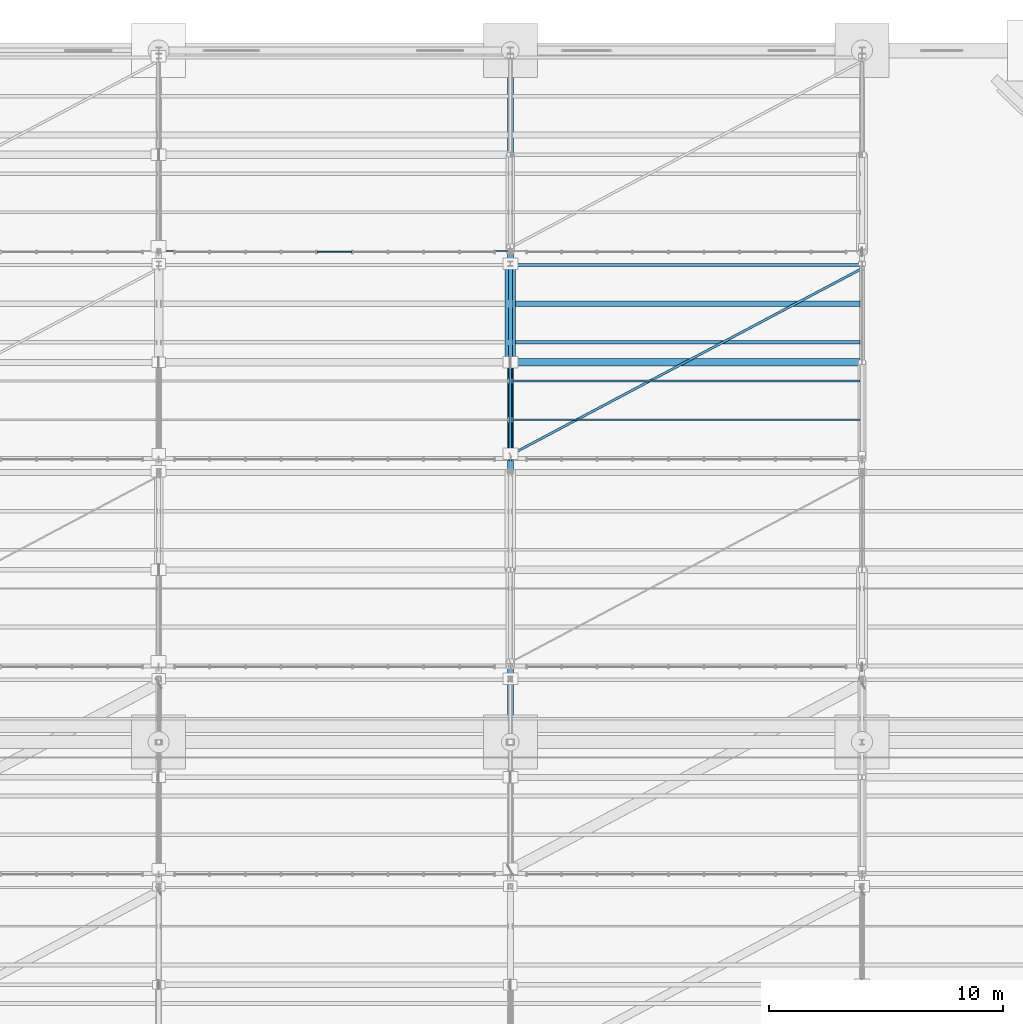
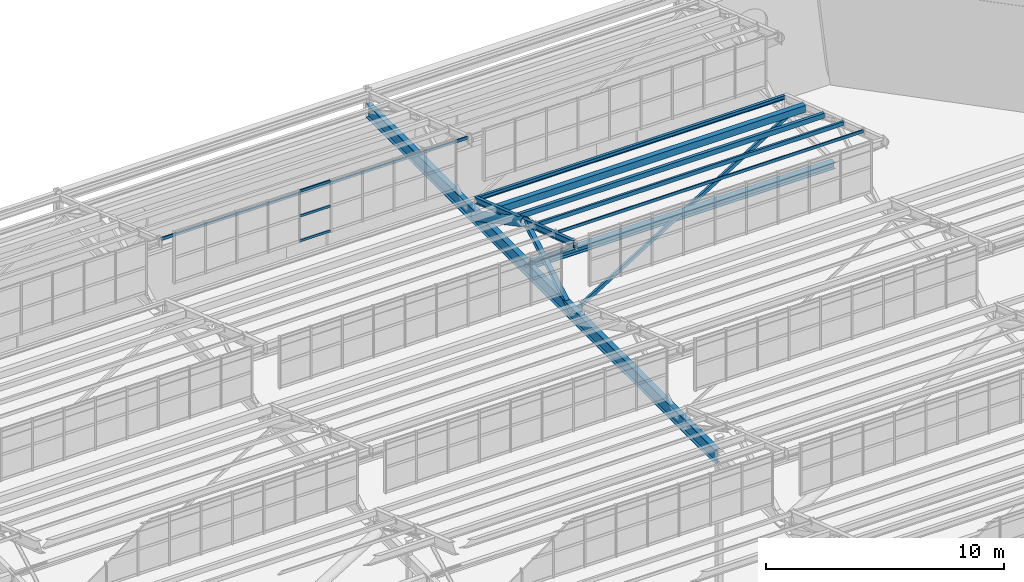
# One storey, part 136 of 285: 8 beams, 8 members, 1 element without a shape of its own.
"""IFC4 building model written with IfcOpenShell, lengths in metres."""

from ifc_helpers import new_model, si_unit, direction, frame, origin, origin_2d, place, context, subcontext, project, spatial, rectangle, hollow_rectangle, hollow_circle, i_section, extrude, material, material_profile, profile_set, type_object, element, aggregate, save


model = new_model("IFC4")

# Units and contexts
model_context = context("Model", 3, precision=1e-05, world=origin(), true_north=direction((0.0, 1.0)))
body_context = subcontext(model_context, "Body", "Model", "MODEL_VIEW")
ifc_project = project(units=[si_unit("LENGTHUNIT", "METRE"), si_unit("AREAUNIT", "SQUARE_METRE"), si_unit("VOLUMEUNIT", "CUBIC_METRE"), si_unit("PLANEANGLEUNIT", "RADIAN"), si_unit("MASSUNIT", "GRAM", prefix="KILO")], contexts=[model_context])

# Site, building, storey
site_placement = place(None, origin())
site = spatial("IfcSite", under=ifc_project, at=site_placement, CompositionType="ELEMENT")
building_placement = place(site_placement, origin())
building = spatial("IfcBuilding", under=site, at=building_placement, Name="Solanera Park Tramway Depot", CompositionType="ELEMENT")
storey_placement = place(building_placement, origin())
storey = spatial("IfcBuildingStorey", under=building, at=storey_placement, Name="L00", CompositionType="ELEMENT", Elevation=0.0)

# Curtain wall, members
ifc_material_1 = material(Name="Bronze-anodised thermally broken aluminium curtain wall", Category="aluminium")
curtain_wall_type = type_object("IfcCurtainWallType", Name="Sawtooth Clerestory Monitor Curtain Wall", PredefinedType="NOTDEFINED", material=ifc_material_1)
curtain_wall_placement = place(storey_placement, origin())
curtain_wall = element("IfcCurtainWall", 1, at=curtain_wall_placement, inside=storey, type_object=curtain_wall_type, Name="L00 Sawtooth Clerestory Monitor Curtain Wall #070", PredefinedType="NOTDEFINED")
ifc_material_2 = material(Name="Bronze-anodised structural aluminium 6063-T6", Category="aluminium")
ifc_material_profile_1 = material_profile(ifc_material_2, rectangle(XDim=0.06494140625, YDim=0.1201171875, at=origin_2d()), Name="Curtain Wall Transom 65x120")
ifc_profile_set_1 = profile_set([ifc_material_profile_1], Name="Bronze-anodised structural aluminium 6063-T6")
member_type_1 = type_object("IfcMemberType", Name="Curtain Wall Transom 65x120", PredefinedType="USERDEFINED", material=ifc_profile_set_1)
member_1_placement = place(storey_placement, frame((111.766845703125, 135.39990234375, 7.81005859375), z_axis=(1.0, 0.0, 0.0), x_axis=(0.0, 1.0, 0.0)))
member_1 = element("IfcMember", 2, at=member_1_placement, type_object=member_type_1, Name="CW-L00-070 Transom R1.C5", ObjectType="TRANSOM", PredefinedType="USERDEFINED", context=body_context, shape_type="SweptSolid", body=[
    extrude(rectangle(XDim=0.06494140625, YDim=0.1201171875, at=origin_2d()), origin(), (0.0, 0.0, 1.0), 1.46630859375),
])
member_2_placement = place(storey_placement, frame((111.766845703125, 135.39990234375, 9.08056640625), z_axis=(1.0, 0.0, 0.0), x_axis=(0.0, 1.0, 0.0)))
member_2 = element("IfcMember", 3, at=member_2_placement, type_object=member_type_1, Name="CW-L00-070 Transom R2.C5", ObjectType="TRANSOM", PredefinedType="USERDEFINED", context=body_context, shape_type="SweptSolid", body=[
    extrude(rectangle(XDim=0.06494140625, YDim=0.1201171875, at=origin_2d()), origin(), (0.0, 0.0, 1.0), 1.46630859375),
])
member_3_placement = place(storey_placement, frame((111.766845703125, 135.39990234375, 10.351318359375), z_axis=(1.0, 0.0, 0.0), x_axis=(0.0, 1.0, 0.0)))
member_3 = element("IfcMember", 4, at=member_3_placement, type_object=member_type_1, Name="CW-L00-070 Transom R3.C5", ObjectType="TRANSOM", PredefinedType="USERDEFINED", context=body_context, shape_type="SweptSolid", body=[
    extrude(rectangle(XDim=0.06494140625, YDim=0.1201171875, at=origin_2d()), origin(), (0.0, 0.0, 1.0), 1.46630859375),
])
aggregate(curtain_wall, [member_1, member_2, member_3])

# Members
ifc_material_3 = material(Name="Steel AS/NZS 3679.1 Grade 350", Category="steel")
ifc_material_profile_2 = material_profile(ifc_material_3, i_section(OverallWidth=0.205078125, OverallDepth=0.209716796875, WebThickness=0.00927734375, FlangeThickness=0.01416015625, at=origin_2d()), Name="200UC59.5")
ifc_profile_set_2 = profile_set([ifc_material_profile_2], Name="Steel AS/NZS 3679.1 Grade 350")
member_type_2 = type_object("IfcMemberType", Name="Roof Gantry Compression Strut 200UC59.5", PredefinedType="STRUT", material=ifc_profile_set_2)
member_4_placement = place(storey_placement, frame((120.0, 126.800048828125, 6.5), z_axis=(0.0, 0.866884023838, 0.498509868723), x_axis=(-1.0, 0.0, 0.0)))
element("IfcMember", 5, at=member_4_placement, inside=storey, type_object=member_type_2, Name="Sawtooth ROOF TRUSS Strut 200UC59.5 #0387", PredefinedType="STRUT", context=body_context, shape_type="SweptSolid", body=[
    extrude(i_section(OverallWidth=0.205078125, OverallDepth=0.209716796875, WebThickness=0.00927734375, FlangeThickness=0.01416015625, at=origin_2d()), origin(), (0.0, 0.0, 1.0), 4.498779296875),
])
ifc_material_4 = material(Name="Steel AS/NZS 3679.1 Grade 350", Category="steel")
ifc_material_profile_3 = material_profile(ifc_material_4, i_section(OverallWidth=0.310546875, OverallDepth=0.3271484375, WebThickness=0.015625, FlangeThickness=0.02490234375, at=origin_2d()), Name="310UC158")
ifc_profile_set_3 = profile_set([ifc_material_profile_3], Name="Steel AS/NZS 3679.1 Grade 350")
member_type_3 = type_object("IfcMemberType", Name="Secondary Truss Chord 310UC158", PredefinedType="CHORD", material=ifc_profile_set_3)
member_5_placement = place(storey_placement, frame((120.087890625, 130.699951171875, 6.5), z_axis=(1.0, 0.0, 0.0), x_axis=(0.0, 1.0, 0.0)))
element("IfcMember", 6, at=member_5_placement, inside=storey, type_object=member_type_3, Name="Sawtooth Longitudinal Tie Chord 310UC158 #0399", PredefinedType="CHORD", context=body_context, shape_type="SweptSolid", body=[
    extrude(i_section(OverallWidth=0.310546875, OverallDepth=0.3271484375, WebThickness=0.015625, FlangeThickness=0.02490234375, at=origin_2d()), origin(), (0.0, 0.0, 1.0), 14.82421875),
])

# Beams
ifc_material_5 = material(Name="Steel AS/NZS 3679.1 Grade 350", Category="steel")
ifc_material_profile_4 = material_profile(ifc_material_5, i_section(OverallWidth=0.166015625, OverallDepth=0.30712890625, WebThickness=0.006591796875, FlangeThickness=0.01171875, at=origin_2d()), Name="310UB46.2")
ifc_profile_set_4 = profile_set([ifc_material_profile_4], Name="Steel AS/NZS 3679.1 Grade 350")
beam_type_1 = type_object("IfcBeamType", Name="Steel Beam 310UB46.2", PredefinedType="BEAM", material=ifc_profile_set_4)
beam_1_placement = place(storey_placement, frame((120.0, 126.550048828125, 10.131103515625), z_axis=(0.0, 0.948327781215, -0.317292324799), x_axis=(-1.0, 0.0, 0.0)))
element("IfcBeam", 7, at=beam_1_placement, inside=storey, type_object=beam_type_1, Name="Sawtooth ROOF TRUSS Top Rafter 310UB46.2 B09-T7", PredefinedType="BEAM", context=body_context, shape_type="SweptSolid", body=[
    extrude(i_section(OverallWidth=0.166015625, OverallDepth=0.30712890625, WebThickness=0.006591796875, FlangeThickness=0.01171875, at=origin_2d()), origin(), (0.0, 0.0, 1.0), 8.804931640625),
])
ifc_material_6 = material(Name="Steel AS/NZS 3679.1 Grade 350", Category="steel")
ifc_material_profile_5 = material_profile(ifc_material_6, i_section(OverallWidth=0.25, OverallDepth=0.699951171875, WebThickness=0.010009765625, FlangeThickness=0.02001953125, at=origin_2d()), Name="700WB130")
ifc_profile_set_5 = profile_set([ifc_material_profile_5], Name="Steel AS/NZS 3679.1 Grade 350")
beam_type_2 = type_object("IfcBeamType", Name="Steel Beam 700WB130", PredefinedType="BEAM", material=ifc_profile_set_5)
beam_2_placement = place(storey_placement, frame((120.0, 114.625, 6.5), z_axis=(0.0, 1.0, 0.0), x_axis=(-1.0, 0.0, 0.0)))
element("IfcBeam", 8, at=beam_2_placement, inside=storey, type_object=beam_type_2, Name="Sawtooth ROOF TRUSS Bottom Chord 700WB130 #0393", PredefinedType="BEAM", context=body_context, shape_type="SweptSolid", body=[
    extrude(i_section(OverallWidth=0.25, OverallDepth=0.699951171875, WebThickness=0.010009765625, FlangeThickness=0.02001953125, at=origin_2d()), origin(), (0.0, 0.0, 1.0), 29.247314453125),
])
ifc_material_7 = material(Name="Steel AS/NZS 1163 Grade C350L0", Category="steel")
ifc_material_profile_6 = material_profile(ifc_material_7, hollow_rectangle(XDim=0.050048828125, YDim=0.14990234375, WallThickness=0.0048828125, at=origin_2d()), Name="150x50x5.0 RHS")
ifc_profile_set_6 = profile_set([ifc_material_profile_6], Name="Steel AS/NZS 1163 Grade C350L0")
beam_type_3 = type_object("IfcBeamType", Name="Steel Joist Purlin 150x50x5.0 RHS", PredefinedType="JOIST", material=ifc_profile_set_6)
for number, where, z_axis, x_axis, name in (
    (9, (120.074951171875, 128.25, 9.654541015625), (1.0, 0.0, 0.0), (0.0, 1.0, 0.0), "Sawtooth Roof Purlin 150x50x5.0 RHS B09.2"),
    (10, (105.074951171875, 135.449951171875, 10.206787109375), (1.0, 0.0, 0.0), (0.0, 1.0, 0.0), "Sawtooth Roof Purlin 150x50x5.0 RHS B10.1"),
):
    element("IfcBeam", number, at=place(storey_placement, frame(where, z_axis=z_axis, x_axis=x_axis)), inside=storey, type_object=beam_type_3, Name=name, PredefinedType="JOIST", context=body_context, shape_type="SweptSolid", body=[
        extrude(hollow_rectangle(XDim=0.050048828125, YDim=0.14990234375, WallThickness=0.0048828125, at=origin_2d()), origin(), (0.0, 0.0, 1.0), 14.84716796875),
    ])
ifc_material_8 = material(Name="Steel AS/NZS 3679.1 Grade 350", Category="steel")
ifc_material_profile_7 = material_profile(ifc_material_8, i_section(OverallWidth=0.13330078125, OverallDepth=0.203125, WebThickness=0.005859375, FlangeThickness=0.0078125, at=origin_2d()), Name="200UB25.4")
ifc_profile_set_7 = profile_set([ifc_material_profile_7], Name="Steel AS/NZS 3679.1 Grade 350")
beam_type_4 = type_object("IfcBeamType", Name="Steel Joist Purlin 200UB25.4", PredefinedType="JOIST", material=ifc_profile_set_7)
beam_3_placement = place(storey_placement, frame((120.074951171875, 134.85009765625, 7.40576171875), z_axis=(1.0, 0.0, 0.0), x_axis=(0.0, 1.0, 0.0)))
element("IfcBeam", 11, at=beam_3_placement, inside=storey, type_object=beam_type_4, Name="Sawtooth Roof Purlin 200UB25.4 B09.6", PredefinedType="JOIST", context=body_context, shape_type="SweptSolid", body=[
    extrude(i_section(OverallWidth=0.13330078125, OverallDepth=0.203125, WebThickness=0.005859375, FlangeThickness=0.0078125, at=origin_2d()), origin(), (0.0, 0.0, 1.0), 14.84716796875),
])
ifc_material_9 = material(Name="Steel AS/NZS 1163 Grade C350L0", Category="steel")
ifc_material_profile_8 = material_profile(ifc_material_9, hollow_rectangle(XDim=0.10009765625, YDim=0.199951171875, WallThickness=0.006103515625, at=origin_2d()), Name="200x100x6.0 RHS")
ifc_profile_set_8 = profile_set([ifc_material_profile_8], Name="Steel AS/NZS 1163 Grade C350L0")
beam_type_5 = type_object("IfcBeamType", Name="Steel Joist Purlin 200x100x6.0 RHS", PredefinedType="JOIST", material=ifc_profile_set_8)
beam_4_placement = place(storey_placement, frame((120.074951171875, 129.89990234375, 9.069091796875), z_axis=(1.0, 0.0, 0.0), x_axis=(0.0, 1.0, 0.0)))
element("IfcBeam", 12, at=beam_4_placement, inside=storey, type_object=beam_type_5, Name="Sawtooth Roof Purlin 200x100x6.0 RHS B09.3", PredefinedType="JOIST", context=body_context, shape_type="SweptSolid", body=[
    extrude(hollow_rectangle(XDim=0.10009765625, YDim=0.199951171875, WallThickness=0.006103515625, at=origin_2d()), origin(), (0.0, 0.0, 1.0), 14.84716796875),
])
ifc_material_10 = material(Name="Steel AS/NZS 1163 Grade C350L0", Category="steel")
ifc_material_profile_9 = material_profile(ifc_material_10, hollow_rectangle(XDim=0.14990234375, YDim=0.25, WallThickness=0.008056640625, at=origin_2d()), Name="250x150x8.0 RHS")
ifc_profile_set_9 = profile_set([ifc_material_profile_9], Name="Steel AS/NZS 1163 Grade C350L0")
beam_type_6 = type_object("IfcBeamType", Name="Steel Joist Purlin 250x150x8.0 RHS", PredefinedType="JOIST", material=ifc_profile_set_9)
beam_5_placement = place(storey_placement, frame((120.074951171875, 131.550048828125, 8.483642578125), z_axis=(1.0, 0.0, 0.0), x_axis=(0.0, 1.0, 0.0)))
element("IfcBeam", 13, at=beam_5_placement, inside=storey, type_object=beam_type_6, Name="Sawtooth Roof Purlin 250x150x8.0 RHS B09.4", PredefinedType="JOIST", context=body_context, shape_type="SweptSolid", body=[
    extrude(hollow_rectangle(XDim=0.14990234375, YDim=0.25, WallThickness=0.008056640625, at=origin_2d()), origin(), (0.0, 0.0, 1.0), 14.84716796875),
])
ifc_material_11 = material(Name="Steel AS/NZS 1163 Grade C350L0", Category="steel")
ifc_material_profile_10 = material_profile(ifc_material_11, hollow_rectangle(XDim=0.25, YDim=0.35009765625, WallThickness=0.010009765625, at=origin_2d()), Name="350x250x10.0 RHS")
ifc_profile_set_10 = profile_set([ifc_material_profile_10], Name="Steel AS/NZS 1163 Grade C350L0")
beam_type_7 = type_object("IfcBeamType", Name="Steel Joist Purlin 350x250x10.0 RHS", PredefinedType="JOIST", material=ifc_profile_set_10)
beam_6_placement = place(storey_placement, frame((120.074951171875, 133.199951171875, 7.864990234375), z_axis=(1.0, 0.0, 0.0), x_axis=(0.0, 1.0, 0.0)))
element("IfcBeam", 14, at=beam_6_placement, inside=storey, type_object=beam_type_7, Name="Sawtooth Roof Purlin 350x250x10.0 RHS B09.5", PredefinedType="JOIST", context=body_context, shape_type="SweptSolid", body=[
    extrude(hollow_rectangle(XDim=0.25, YDim=0.35009765625, WallThickness=0.010009765625, at=origin_2d()), origin(), (0.0, 0.0, 1.0), 14.84716796875),
])

# Members
ifc_material_12 = material(Name="Steel AS/NZS 1163 Grade C350L0", Category="steel")
ifc_material_profile_11 = material_profile(ifc_material_12, hollow_circle(Radius=0.084228515625, WallThickness=0.00634765625, at=origin_2d()), Name="168.3x6.4 CHS")
ifc_profile_set_11 = profile_set([ifc_material_profile_11], Name="Steel AS/NZS 1163 Grade C350L0")
member_type_4 = type_object("IfcMemberType", Name="Truss and Frame Brace 168.3x6.4 CHS", PredefinedType="BRACE", material=ifc_profile_set_11)
member_6_placement = place(storey_placement, frame((120.0, 130.699951171875, 6.5), z_axis=(0.0, -0.752582180048, 0.658498338855), x_axis=(1.0, 0.0, 0.0)))
element("IfcMember", 15, at=member_6_placement, inside=storey, type_object=member_type_4, Name="Sawtooth ROOF TRUSS Web Brace 168.3x6.4 CHS #0385", PredefinedType="BRACE", context=body_context, shape_type="SweptSolid", body=[
    extrude(hollow_circle(Radius=0.084228515625, WallThickness=0.00634765625, at=origin_2d()), origin(), (0.0, 0.0, 1.0), 5.51416015625),
])
ifc_material_13 = material(Name="Steel AS/NZS 1163 Grade C350L0", Category="steel")
ifc_material_profile_12 = material_profile(ifc_material_13, hollow_rectangle(XDim=0.10009765625, YDim=0.199951171875, WallThickness=0.006103515625, at=origin_2d()), Name="200x100x6.0 RHS")
ifc_profile_set_12 = profile_set([ifc_material_profile_12], Name="Steel AS/NZS 1163 Grade C350L0")
member_type_5 = type_object("IfcMemberType", Name="Truss and Frame Brace 200x100x6.0 RHS", PredefinedType="BRACE", material=ifc_profile_set_12)
member_7_placement = place(storey_placement, frame((120.001953125, 126.75, 6.5), z_axis=(0.883523615038, 0.468386615598, 0.0), x_axis=(-0.468386615598, 0.883523615038, 0.0)))
element("IfcMember", 16, at=member_7_placement, inside=storey, type_object=member_type_5, Name="Roof Plane Cyclonic Brace 200x100x6.0 RHS #0400", PredefinedType="BRACE", context=body_context, shape_type="SweptSolid", body=[
    extrude(hollow_rectangle(XDim=0.10009765625, YDim=0.199951171875, WallThickness=0.006103515625, at=origin_2d()), origin(), (0.0, 0.0, 1.0), 16.97314453125),
])
ifc_material_14 = material(Name="Steel AS/NZS 1163 Grade C350L0", Category="steel")
ifc_material_profile_13 = material_profile(ifc_material_14, hollow_circle(Radius=0.228515625, WallThickness=0.0126953125, at=origin_2d()), Name="457.0x12.7 CHS")
ifc_profile_set_13 = profile_set([ifc_material_profile_13], Name="Steel AS/NZS 1163 Grade C350L0")
member_type_6 = type_object("IfcMemberType", Name="Truss and Frame Brace 457.0x12.7 CHS", PredefinedType="BRACE", material=ifc_profile_set_13)
member_8_placement = place(storey_placement, frame((120.0, 134.89990234375, 6.5), z_axis=(0.0, -0.882117205046, 0.471029974165), x_axis=(1.0, 0.0, 0.0)))
element("IfcMember", 17, at=member_8_placement, inside=storey, type_object=member_type_6, Name="Sawtooth ROOF TRUSS Diagonal 457.0x12.7 CHS #0386", PredefinedType="BRACE", context=body_context, shape_type="SweptSolid", body=[
    extrude(hollow_circle(Radius=0.228515625, WallThickness=0.0126953125, at=origin_2d()), origin(), (0.0, 0.0, 1.0), 4.76123046875),
])

save(model, "model.ifc")
